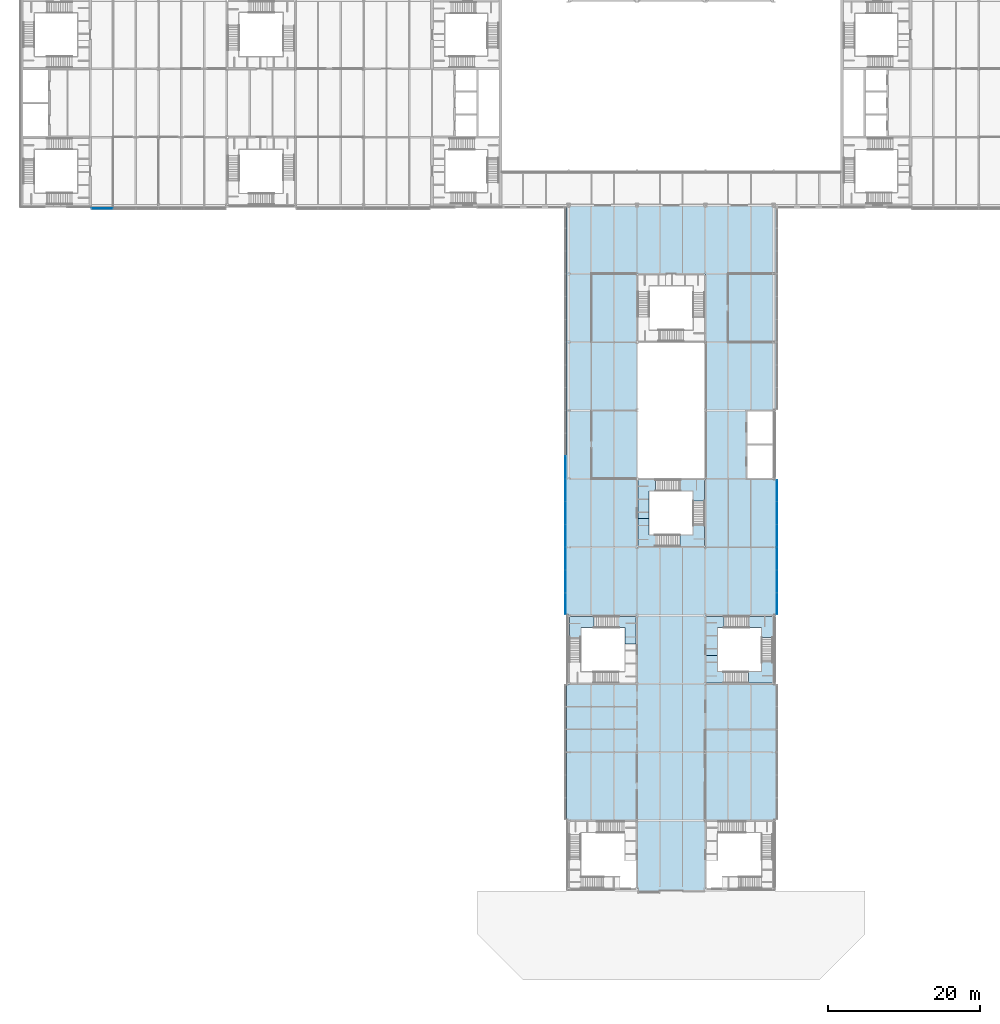
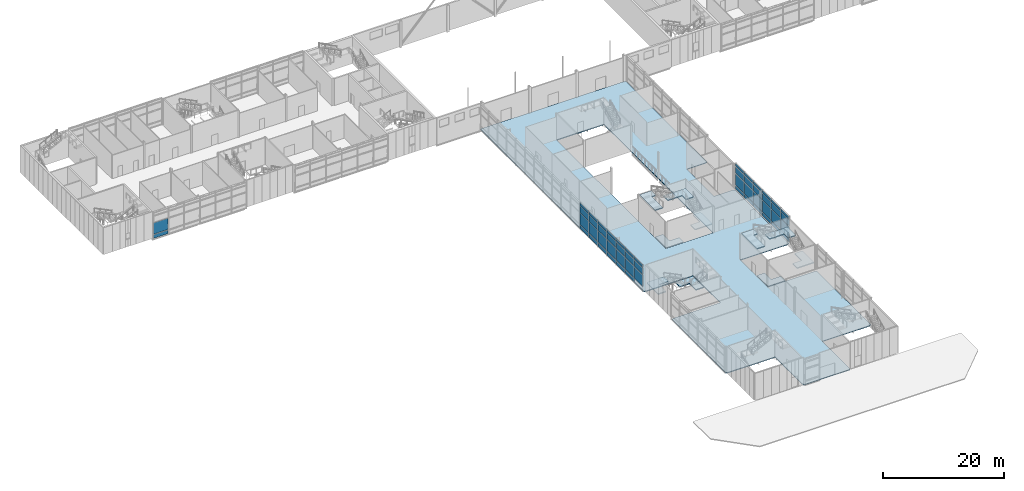
# One storey, part 30 of 56: 53 plates, 11 slabs, 6 elements without a shape of their own.
"""IFC4 building model written with IfcOpenShell, lengths in metres."""

from ifc_helpers import new_model, si_unit, direction, frame, origin, origin_2d, place, context, subcontext, project, spatial, polyline, rectangle, outline, extrude, material, layer, layer_set, type_object, element, aggregate, save


model = new_model("IFC4")

# Units and contexts
model_context = context("Model", 3, precision=1e-05, world=origin(), true_north=direction((0.0, 1.0)))
body_context = subcontext(model_context, "Body", "Model", "MODEL_VIEW")
ifc_project = project(units=[si_unit("LENGTHUNIT", "METRE"), si_unit("AREAUNIT", "SQUARE_METRE"), si_unit("VOLUMEUNIT", "CUBIC_METRE"), si_unit("PLANEANGLEUNIT", "RADIAN"), si_unit("MASSUNIT", "GRAM", prefix="KILO")], contexts=[model_context])

# Site, building, storey
site_placement = place(None, origin())
site = spatial("IfcSite", under=ifc_project, at=site_placement, CompositionType="ELEMENT")
building_placement = place(site_placement, origin())
building = spatial("IfcBuilding", under=site, at=building_placement, Name="Azimuth Sports and Learning Centre", CompositionType="ELEMENT")
storey_placement = place(building_placement, frame((0.0, 0.0, 5.39990234375)))
storey = spatial("IfcBuildingStorey", under=building, at=storey_placement, Name="L01", CompositionType="ELEMENT", Elevation=5.39990234375)

# Slab
ifc_material_1 = material(Name="Concrete C30/37", Category="concrete")
ifc_layer_1 = layer(ifc_material_1, 0.14990234375)
ifc_layer_set_1 = layer_set([ifc_layer_1], Name="Concrete C30/37")
slab_type_1 = type_object("IfcSlabType", Name="Composite floor slab 150", PredefinedType="FLOOR", material=ifc_layer_set_1)
slab_1_placement = place(storey_placement, frame((0.0, 0.0, -0.14990234375)))
element("IfcSlab", 1, at=slab_1_placement, inside=storey, type_object=slab_type_1, Name="Slab STEM L01", PredefinedType="FLOOR", context=body_context, shape_type="SweptSolid", body=[
    extrude(outline(polyline([(81.10009765625, -0.300048828125), (89.89990234375, -0.300048828125), (89.89990234375, 0.0), (90.0, 0.0), (90.0, 9.0), (99.0, 9.0), (99.0, 9.10009765625), (99.300048828125, 9.10009765625), (99.300048828125, 26.89990234375), (99.0, 26.89990234375), (99.0, 27.0), (90.0, 27.0), (90.0, 36.0), (99.0, 36.0), (99.0, 36.10009765625), (99.300048828125, 36.10009765625), (99.300048828125, 53.89990234375), (99.0, 53.89990234375), (99.0, 54.0), (95.39990234375, 54.0), (95.39990234375, 63.0), (99.0, 63.0), (99.0, 63.10009765625), (99.300048828125, 63.10009765625), (99.300048828125, 90.0), (71.699951171875, 90.0), (71.699951171875, 36.10009765625), (72.0, 36.10009765625), (72.0, 36.0), (81.0, 36.0), (81.0, 27.0), (72.0, 27.0), (72.0, 26.89990234375), (71.699951171875, 26.89990234375), (71.699951171875, 9.10009765625), (72.0, 9.10009765625), (72.0, 9.0), (81.0, 9.0), (81.0, 0.0), (81.10009765625, 0.0), (81.10009765625, -0.300048828125)]), holes=[polyline([(81.0, 45.0), (81.0, 81.0), (90.0, 81.0), (90.0, 45.0), (81.0, 45.0)])]), origin(), (0.0, 0.0, 1.0), 0.14990234375),
])

# Stair, slabs
ifc_material_2 = material(Name="Concrete C32/40", Category="concrete")
stair_type = type_object("IfcStairType", Name="Square-well stair stem cell 5400 storey", PredefinedType="THREE_QUARTER_TURN_STAIR", material=ifc_material_2)
stair_1_placement = place(storey_placement, origin())
stair_1 = element("IfcStair", 2, at=stair_1_placement, inside=storey, type_object=stair_type, Name="Stair ST3 L01-L02", PredefinedType="THREE_QUARTER_TURN_STAIR")
ifc_material_3 = material(Name="Concrete C32/40", Category="concrete")
ifc_layer_2 = layer(ifc_material_3, 0.199951171875)
ifc_layer_set_2 = layer_set([ifc_layer_2], Name="Concrete C32/40")
slab_type_2 = type_object("IfcSlabType", Name="Concrete stair landing", PredefinedType="LANDING", material=ifc_layer_set_2)
slab_2_placement = place(storey_placement, frame((0.0, 0.0, -0.199951171875)))
slab_2 = element("IfcSlab", 3, at=slab_2_placement, type_object=slab_type_2, Name="Stair ST3 L01 landing 1", PredefinedType="LANDING", context=body_context, shape_type="SweptSolid", body=[
    extrude(outline(polyline([(77.5400390625, 34.389892578125), (79.389892578125, 34.389892578125), (79.389892578125, 32.25), (80.889892578125, 32.25), (80.889892578125, 35.889892578125), (77.5400390625, 35.889892578125), (77.5400390625, 34.389892578125)])), origin(), (0.0, 0.0, 1.0), 0.199951171875),
])
slab_3_placement = place(storey_placement, frame((0.0, 0.0, 1.60009765625)))
slab_3 = element("IfcSlab", 4, at=slab_3_placement, type_object=slab_type_2, Name="Stair ST3 L01 landing 2", PredefinedType="LANDING", context=body_context, shape_type="SweptSolid", body=[
    extrude(outline(polyline([(73.610107421875, 34.389892578125), (75.3408203125, 34.389892578125), (75.3408203125, 35.889892578125), (72.110107421875, 35.889892578125), (72.110107421875, 32.090087890625), (73.610107421875, 32.090087890625), (73.610107421875, 34.389892578125)])), origin(), (0.0, 0.0, 1.0), 0.199951171875),
])
aggregate(stair_1, [slab_2, slab_3])

stair_2_placement = place(storey_placement, origin())
stair_2 = element("IfcStair", 5, at=stair_2_placement, inside=storey, type_object=stair_type, Name="Stair ST4 L01-L02", PredefinedType="THREE_QUARTER_TURN_STAIR")
slab_4_placement = place(storey_placement, frame((0.0, 0.0, -0.199951171875)))
slab_4 = element("IfcSlab", 6, at=slab_4_placement, type_object=slab_type_2, Name="Stair ST4 L01 landing 1", PredefinedType="LANDING", context=body_context, shape_type="SweptSolid", body=[
    extrude(outline(polyline([(93.4599609375, 28.610107421875), (91.610107421875, 28.610107421875), (91.610107421875, 30.75), (90.110107421875, 30.75), (90.110107421875, 27.110107421875), (93.4599609375, 27.110107421875), (93.4599609375, 28.610107421875)])), origin(), (0.0, 0.0, 1.0), 0.199951171875),
])
slab_5_placement = place(storey_placement, frame((0.0, 0.0, 1.60009765625)))
slab_5 = element("IfcSlab", 7, at=slab_5_placement, type_object=slab_type_2, Name="Stair ST4 L01 landing 2", PredefinedType="LANDING", context=body_context, shape_type="SweptSolid", body=[
    extrude(outline(polyline([(97.389892578125, 28.610107421875), (95.6591796875, 28.610107421875), (95.6591796875, 27.110107421875), (98.889892578125, 27.110107421875), (98.889892578125, 30.909912109375), (97.389892578125, 30.909912109375), (97.389892578125, 28.610107421875)])), origin(), (0.0, 0.0, 1.0), 0.199951171875),
])
slab_6_placement = place(storey_placement, frame((0.0, 0.0, 3.400146484375)))
slab_6 = element("IfcSlab", 8, at=slab_6_placement, type_object=slab_type_2, Name="Stair ST4 L01 landing 3", PredefinedType="LANDING", context=body_context, shape_type="SweptSolid", body=[
    extrude(outline(polyline([(97.389892578125, 34.389892578125), (97.389892578125, 33.109375), (98.889892578125, 33.109375), (98.889892578125, 35.889892578125), (94.639892578125, 35.889892578125), (94.639892578125, 34.389892578125), (97.389892578125, 34.389892578125)])), origin(), (0.0, 0.0, 1.0), 0.199951171875),
])
slab_7_placement = place(storey_placement, frame((0.0, 0.0, 5.2001953125)))
slab_7 = element("IfcSlab", 9, at=slab_7_placement, type_object=slab_type_2, Name="Stair ST4 L01 landing 4", PredefinedType="LANDING", context=body_context, shape_type="SweptSolid", body=[
    extrude(outline(polyline([(91.610107421875, 34.389892578125), (92.440673828125, 34.389892578125), (92.440673828125, 35.889892578125), (90.110107421875, 35.889892578125), (90.110107421875, 30.75), (91.610107421875, 30.75), (91.610107421875, 34.389892578125)])), origin(), (0.0, 0.0, 1.0), 0.199951171875),
])
aggregate(stair_2, [slab_4, slab_5, slab_6, slab_7])

stair_3_placement = place(storey_placement, origin())
stair_3 = element("IfcStair", 10, at=stair_3_placement, inside=storey, type_object=stair_type, Name="Stair STC L01-L02", PredefinedType="THREE_QUARTER_TURN_STAIR")
slab_8_placement = place(storey_placement, frame((0.0, 0.0, -0.199951171875)))
slab_8 = element("IfcSlab", 11, at=slab_8_placement, type_object=slab_type_2, Name="Stair STC L01 landing 1", PredefinedType="LANDING", context=body_context, shape_type="SweptSolid", body=[
    extrude(outline(polyline([(84.4599609375, 46.610107421875), (82.610107421875, 46.610107421875), (82.610107421875, 48.75), (81.110107421875, 48.75), (81.110107421875, 45.110107421875), (84.4599609375, 45.110107421875), (84.4599609375, 46.610107421875)])), origin(), (0.0, 0.0, 1.0), 0.199951171875),
])
slab_9_placement = place(storey_placement, frame((0.0, 0.0, 1.60009765625)))
slab_9 = element("IfcSlab", 12, at=slab_9_placement, type_object=slab_type_2, Name="Stair STC L01 landing 2", PredefinedType="LANDING", context=body_context, shape_type="SweptSolid", body=[
    extrude(outline(polyline([(88.389892578125, 46.610107421875), (86.6591796875, 46.610107421875), (86.6591796875, 45.110107421875), (89.889892578125, 45.110107421875), (89.889892578125, 48.909912109375), (88.389892578125, 48.909912109375), (88.389892578125, 46.610107421875)])), origin(), (0.0, 0.0, 1.0), 0.199951171875),
])
slab_10_placement = place(storey_placement, frame((0.0, 0.0, 3.400146484375)))
slab_10 = element("IfcSlab", 13, at=slab_10_placement, type_object=slab_type_2, Name="Stair STC L01 landing 3", PredefinedType="LANDING", context=body_context, shape_type="SweptSolid", body=[
    extrude(outline(polyline([(88.389892578125, 52.389892578125), (88.389892578125, 51.109375), (89.889892578125, 51.109375), (89.889892578125, 53.889892578125), (85.639892578125, 53.889892578125), (85.639892578125, 52.389892578125), (88.389892578125, 52.389892578125)])), origin(), (0.0, 0.0, 1.0), 0.199951171875),
])
slab_11_placement = place(storey_placement, frame((0.0, 0.0, 5.2001953125)))
slab_11 = element("IfcSlab", 14, at=slab_11_placement, type_object=slab_type_2, Name="Stair STC L01 landing 4", PredefinedType="LANDING", context=body_context, shape_type="SweptSolid", body=[
    extrude(outline(polyline([(82.610107421875, 52.389892578125), (83.440673828125, 52.389892578125), (83.440673828125, 53.889892578125), (81.110107421875, 53.889892578125), (81.110107421875, 48.75), (82.610107421875, 48.75), (82.610107421875, 52.389892578125)])), origin(), (0.0, 0.0, 1.0), 0.199951171875),
])
aggregate(stair_3, [slab_8, slab_9, slab_10, slab_11])

# Curtain wall, plate
ifc_material_4 = material(Name="Aluminium and glass", Category="aluminium")
curtain_wall_type_1 = type_object("IfcCurtainWallType", Name="Curtain wall podium wing 240", PredefinedType="NOTDEFINED", material=ifc_material_4)
curtain_wall_1_placement = place(storey_placement, origin())
curtain_wall_1 = element("IfcCurtainWall", 15, at=curtain_wall_1_placement, inside=storey, type_object=curtain_wall_type_1, Name="Curtain wall CW01-001", PredefinedType="NOTDEFINED")
ifc_material_5 = material(Name="Insulated aluminium panel", Category="aluminium")
ifc_layer_3 = layer(ifc_material_5, 0.06005859375)
ifc_layer_set_3 = layer_set([ifc_layer_3], Name="Insulated aluminium panel")
plate_type_1 = type_object("IfcPlateType", Name="Spandrel panel 60 mm", PredefinedType="CURTAIN_PANEL", material=ifc_layer_set_3)
plate_1_placement = place(storey_placement, frame((10.594970703125, 89.580078125, 0.1201171875), z_axis=(0.0, 0.0, 1.0), x_axis=(1.0, 0.0, 0.0)))
plate_1 = element("IfcPlate", 16, at=plate_1_placement, type_object=plate_type_1, Name="CW01-001 panel 1.1", PredefinedType="CURTAIN_PANEL", context=body_context, shape_type="SweptSolid", body=[
    extrude(rectangle(XDim=2.72998046875, YDim=0.06005859375, at=origin_2d()), origin(), (0.0, 0.0, 1.0), 0.719970703125),
])

# Curtain wall, plates
ifc_material_6 = material(Name="Aluminium and glass", Category="aluminium")
curtain_wall_type_2 = type_object("IfcCurtainWallType", Name="Curtain wall podium stem 240", PredefinedType="NOTDEFINED", material=ifc_material_6)
curtain_wall_2_placement = place(storey_placement, origin())
curtain_wall_2 = element("IfcCurtainWall", 17, at=curtain_wall_2_placement, inside=storey, type_object=curtain_wall_type_2, Name="Curtain wall CW01-003", PredefinedType="NOTDEFINED")
plate_2_placement = place(storey_placement, frame((71.580078125, 55.5, 0.1201171875), z_axis=(0.0, 0.0, 1.0), x_axis=(0.0, -1.0, 0.0)))
plate_2 = element("IfcPlate", 18, at=plate_2_placement, type_object=plate_type_1, Name="CW01-003 panel 12.1", PredefinedType="CURTAIN_PANEL", context=body_context, shape_type="SweptSolid", body=[
    extrude(rectangle(XDim=2.919921875, YDim=0.06005859375, at=origin_2d()), origin(), (0.0, 0.0, 1.0), 0.719970703125),
])
plate_3_placement = place(storey_placement, frame((71.580078125, 55.5, 4.760009765625), z_axis=(0.0, 0.0, 1.0), x_axis=(0.0, -1.0, 0.0)))
plate_3 = element("IfcPlate", 19, at=plate_3_placement, type_object=plate_type_1, Name="CW01-003 panel 12.4", PredefinedType="CURTAIN_PANEL", context=body_context, shape_type="SweptSolid", body=[
    extrude(rectangle(XDim=2.919921875, YDim=0.06005859375, at=origin_2d()), origin(), (0.0, 0.0, 1.0), 0.52001953125),
])
plate_4_placement = place(storey_placement, frame((71.580078125, 52.5, 0.1201171875), z_axis=(0.0, 0.0, 1.0), x_axis=(0.0, -1.0, 0.0)))
plate_4 = element("IfcPlate", 20, at=plate_4_placement, type_object=plate_type_1, Name="CW01-003 panel 13.1", PredefinedType="CURTAIN_PANEL", context=body_context, shape_type="SweptSolid", body=[
    extrude(rectangle(XDim=2.919921875, YDim=0.06005859375, at=origin_2d()), origin(), (0.0, 0.0, 1.0), 0.719970703125),
])
plate_5_placement = place(storey_placement, frame((71.580078125, 52.5, 4.760009765625), z_axis=(0.0, 0.0, 1.0), x_axis=(0.0, -1.0, 0.0)))
plate_5 = element("IfcPlate", 21, at=plate_5_placement, type_object=plate_type_1, Name="CW01-003 panel 13.4", PredefinedType="CURTAIN_PANEL", context=body_context, shape_type="SweptSolid", body=[
    extrude(rectangle(XDim=2.919921875, YDim=0.06005859375, at=origin_2d()), origin(), (0.0, 0.0, 1.0), 0.52001953125),
])
plate_6_placement = place(storey_placement, frame((71.580078125, 49.5, 0.1201171875), z_axis=(0.0, 0.0, 1.0), x_axis=(0.0, -1.0, 0.0)))
plate_6 = element("IfcPlate", 22, at=plate_6_placement, type_object=plate_type_1, Name="CW01-003 panel 14.1", PredefinedType="CURTAIN_PANEL", context=body_context, shape_type="SweptSolid", body=[
    extrude(rectangle(XDim=2.919921875, YDim=0.06005859375, at=origin_2d()), origin(), (0.0, 0.0, 1.0), 0.719970703125),
])
plate_7_placement = place(storey_placement, frame((71.580078125, 49.5, 4.760009765625), z_axis=(0.0, 0.0, 1.0), x_axis=(0.0, -1.0, 0.0)))
plate_7 = element("IfcPlate", 23, at=plate_7_placement, type_object=plate_type_1, Name="CW01-003 panel 14.4", PredefinedType="CURTAIN_PANEL", context=body_context, shape_type="SweptSolid", body=[
    extrude(rectangle(XDim=2.919921875, YDim=0.06005859375, at=origin_2d()), origin(), (0.0, 0.0, 1.0), 0.52001953125),
])
plate_8_placement = place(storey_placement, frame((71.580078125, 46.5, 0.1201171875), z_axis=(0.0, 0.0, 1.0), x_axis=(0.0, -1.0, 0.0)))
plate_8 = element("IfcPlate", 24, at=plate_8_placement, type_object=plate_type_1, Name="CW01-003 panel 15.1", PredefinedType="CURTAIN_PANEL", context=body_context, shape_type="SweptSolid", body=[
    extrude(rectangle(XDim=2.919921875, YDim=0.06005859375, at=origin_2d()), origin(), (0.0, 0.0, 1.0), 0.719970703125),
])
plate_9_placement = place(storey_placement, frame((71.580078125, 46.5, 4.760009765625), z_axis=(0.0, 0.0, 1.0), x_axis=(0.0, -1.0, 0.0)))
plate_9 = element("IfcPlate", 25, at=plate_9_placement, type_object=plate_type_1, Name="CW01-003 panel 15.4", PredefinedType="CURTAIN_PANEL", context=body_context, shape_type="SweptSolid", body=[
    extrude(rectangle(XDim=2.919921875, YDim=0.06005859375, at=origin_2d()), origin(), (0.0, 0.0, 1.0), 0.52001953125),
])
plate_10_placement = place(storey_placement, frame((71.580078125, 43.5, 0.1201171875), z_axis=(0.0, 0.0, 1.0), x_axis=(0.0, -1.0, 0.0)))
plate_10 = element("IfcPlate", 26, at=plate_10_placement, type_object=plate_type_1, Name="CW01-003 panel 16.1", PredefinedType="CURTAIN_PANEL", context=body_context, shape_type="SweptSolid", body=[
    extrude(rectangle(XDim=2.919921875, YDim=0.06005859375, at=origin_2d()), origin(), (0.0, 0.0, 1.0), 0.719970703125),
])
plate_11_placement = place(storey_placement, frame((71.580078125, 43.5, 4.760009765625), z_axis=(0.0, 0.0, 1.0), x_axis=(0.0, -1.0, 0.0)))
plate_11 = element("IfcPlate", 27, at=plate_11_placement, type_object=plate_type_1, Name="CW01-003 panel 16.4", PredefinedType="CURTAIN_PANEL", context=body_context, shape_type="SweptSolid", body=[
    extrude(rectangle(XDim=2.919921875, YDim=0.06005859375, at=origin_2d()), origin(), (0.0, 0.0, 1.0), 0.52001953125),
])
plate_12_placement = place(storey_placement, frame((71.580078125, 40.5, 0.1201171875), z_axis=(0.0, 0.0, 1.0), x_axis=(0.0, -1.0, 0.0)))
plate_12 = element("IfcPlate", 28, at=plate_12_placement, type_object=plate_type_1, Name="CW01-003 panel 17.1", PredefinedType="CURTAIN_PANEL", context=body_context, shape_type="SweptSolid", body=[
    extrude(rectangle(XDim=2.919921875, YDim=0.06005859375, at=origin_2d()), origin(), (0.0, 0.0, 1.0), 0.719970703125),
])
plate_13_placement = place(storey_placement, frame((71.580078125, 40.5, 4.760009765625), z_axis=(0.0, 0.0, 1.0), x_axis=(0.0, -1.0, 0.0)))
plate_13 = element("IfcPlate", 29, at=plate_13_placement, type_object=plate_type_1, Name="CW01-003 panel 17.4", PredefinedType="CURTAIN_PANEL", context=body_context, shape_type="SweptSolid", body=[
    extrude(rectangle(XDim=2.919921875, YDim=0.06005859375, at=origin_2d()), origin(), (0.0, 0.0, 1.0), 0.52001953125),
])
plate_14_placement = place(storey_placement, frame((71.580078125, 37.570068359375, 4.760009765625), z_axis=(0.0, 0.0, 1.0), x_axis=(0.0, -1.0, 0.0)))
plate_14 = element("IfcPlate", 30, at=plate_14_placement, type_object=plate_type_1, Name="CW01-003 panel 18.4", PredefinedType="CURTAIN_PANEL", context=body_context, shape_type="SweptSolid", body=[
    extrude(rectangle(XDim=2.780029296875, YDim=0.06005859375, at=origin_2d()), origin(), (0.0, 0.0, 1.0), 0.52001953125),
])

curtain_wall_3_placement = place(storey_placement, origin())
curtain_wall_3 = element("IfcCurtainWall", 31, at=curtain_wall_3_placement, inside=storey, type_object=curtain_wall_type_2, Name="Curtain wall CW01-007", PredefinedType="NOTDEFINED")
plate_15_placement = place(storey_placement, frame((99.419921875, 37.570068359375, 0.1201171875), z_axis=(0.0, 0.0, 1.0), x_axis=(0.0, 1.0, 0.0)))
plate_15 = element("IfcPlate", 32, at=plate_15_placement, type_object=plate_type_1, Name="CW01-007 panel 1.1", PredefinedType="CURTAIN_PANEL", context=body_context, shape_type="SweptSolid", body=[
    extrude(rectangle(XDim=2.780029296875, YDim=0.06005859375, at=origin_2d()), origin(), (0.0, 0.0, 1.0), 0.719970703125),
])
plate_16_placement = place(storey_placement, frame((99.419921875, 37.570068359375, 4.760009765625), z_axis=(0.0, 0.0, 1.0), x_axis=(0.0, 1.0, 0.0)))
plate_16 = element("IfcPlate", 33, at=plate_16_placement, type_object=plate_type_1, Name="CW01-007 panel 1.4", PredefinedType="CURTAIN_PANEL", context=body_context, shape_type="SweptSolid", body=[
    extrude(rectangle(XDim=2.780029296875, YDim=0.06005859375, at=origin_2d()), origin(), (0.0, 0.0, 1.0), 0.52001953125),
])
plate_17_placement = place(storey_placement, frame((99.419921875, 40.5, 0.1201171875), z_axis=(0.0, 0.0, 1.0), x_axis=(0.0, 1.0, 0.0)))
plate_17 = element("IfcPlate", 34, at=plate_17_placement, type_object=plate_type_1, Name="CW01-007 panel 2.1", PredefinedType="CURTAIN_PANEL", context=body_context, shape_type="SweptSolid", body=[
    extrude(rectangle(XDim=2.919921875, YDim=0.06005859375, at=origin_2d()), origin(), (0.0, 0.0, 1.0), 0.719970703125),
])
plate_18_placement = place(storey_placement, frame((99.419921875, 40.5, 4.760009765625), z_axis=(0.0, 0.0, 1.0), x_axis=(0.0, 1.0, 0.0)))
plate_18 = element("IfcPlate", 35, at=plate_18_placement, type_object=plate_type_1, Name="CW01-007 panel 2.4", PredefinedType="CURTAIN_PANEL", context=body_context, shape_type="SweptSolid", body=[
    extrude(rectangle(XDim=2.919921875, YDim=0.06005859375, at=origin_2d()), origin(), (0.0, 0.0, 1.0), 0.52001953125),
])
plate_19_placement = place(storey_placement, frame((99.419921875, 43.5, 0.1201171875), z_axis=(0.0, 0.0, 1.0), x_axis=(0.0, 1.0, 0.0)))
plate_19 = element("IfcPlate", 36, at=plate_19_placement, type_object=plate_type_1, Name="CW01-007 panel 3.1", PredefinedType="CURTAIN_PANEL", context=body_context, shape_type="SweptSolid", body=[
    extrude(rectangle(XDim=2.919921875, YDim=0.06005859375, at=origin_2d()), origin(), (0.0, 0.0, 1.0), 0.719970703125),
])
plate_20_placement = place(storey_placement, frame((99.419921875, 43.5, 4.760009765625), z_axis=(0.0, 0.0, 1.0), x_axis=(0.0, 1.0, 0.0)))
plate_20 = element("IfcPlate", 37, at=plate_20_placement, type_object=plate_type_1, Name="CW01-007 panel 3.4", PredefinedType="CURTAIN_PANEL", context=body_context, shape_type="SweptSolid", body=[
    extrude(rectangle(XDim=2.919921875, YDim=0.06005859375, at=origin_2d()), origin(), (0.0, 0.0, 1.0), 0.52001953125),
])
plate_21_placement = place(storey_placement, frame((99.419921875, 46.5, 0.1201171875), z_axis=(0.0, 0.0, 1.0), x_axis=(0.0, 1.0, 0.0)))
plate_21 = element("IfcPlate", 38, at=plate_21_placement, type_object=plate_type_1, Name="CW01-007 panel 4.1", PredefinedType="CURTAIN_PANEL", context=body_context, shape_type="SweptSolid", body=[
    extrude(rectangle(XDim=2.919921875, YDim=0.06005859375, at=origin_2d()), origin(), (0.0, 0.0, 1.0), 0.719970703125),
])
plate_22_placement = place(storey_placement, frame((99.419921875, 46.5, 4.760009765625), z_axis=(0.0, 0.0, 1.0), x_axis=(0.0, 1.0, 0.0)))
plate_22 = element("IfcPlate", 39, at=plate_22_placement, type_object=plate_type_1, Name="CW01-007 panel 4.4", PredefinedType="CURTAIN_PANEL", context=body_context, shape_type="SweptSolid", body=[
    extrude(rectangle(XDim=2.919921875, YDim=0.06005859375, at=origin_2d()), origin(), (0.0, 0.0, 1.0), 0.52001953125),
])
plate_23_placement = place(storey_placement, frame((99.419921875, 49.5, 0.1201171875), z_axis=(0.0, 0.0, 1.0), x_axis=(0.0, 1.0, 0.0)))
plate_23 = element("IfcPlate", 40, at=plate_23_placement, type_object=plate_type_1, Name="CW01-007 panel 5.1", PredefinedType="CURTAIN_PANEL", context=body_context, shape_type="SweptSolid", body=[
    extrude(rectangle(XDim=2.919921875, YDim=0.06005859375, at=origin_2d()), origin(), (0.0, 0.0, 1.0), 0.719970703125),
])
plate_24_placement = place(storey_placement, frame((99.419921875, 49.5, 4.760009765625), z_axis=(0.0, 0.0, 1.0), x_axis=(0.0, 1.0, 0.0)))
plate_24 = element("IfcPlate", 41, at=plate_24_placement, type_object=plate_type_1, Name="CW01-007 panel 5.4", PredefinedType="CURTAIN_PANEL", context=body_context, shape_type="SweptSolid", body=[
    extrude(rectangle(XDim=2.919921875, YDim=0.06005859375, at=origin_2d()), origin(), (0.0, 0.0, 1.0), 0.52001953125),
])
plate_25_placement = place(storey_placement, frame((99.419921875, 52.429931640625, 0.1201171875), z_axis=(0.0, 0.0, 1.0), x_axis=(0.0, 1.0, 0.0)))
plate_25 = element("IfcPlate", 42, at=plate_25_placement, type_object=plate_type_1, Name="CW01-007 panel 6.1", PredefinedType="CURTAIN_PANEL", context=body_context, shape_type="SweptSolid", body=[
    extrude(rectangle(XDim=2.780029296875, YDim=0.06005859375, at=origin_2d()), origin(), (0.0, 0.0, 1.0), 0.719970703125),
])
plate_26_placement = place(storey_placement, frame((99.419921875, 52.429931640625, 4.760009765625), z_axis=(0.0, 0.0, 1.0), x_axis=(0.0, 1.0, 0.0)))
plate_26 = element("IfcPlate", 43, at=plate_26_placement, type_object=plate_type_1, Name="CW01-007 panel 6.4", PredefinedType="CURTAIN_PANEL", context=body_context, shape_type="SweptSolid", body=[
    extrude(rectangle(XDim=2.780029296875, YDim=0.06005859375, at=origin_2d()), origin(), (0.0, 0.0, 1.0), 0.52001953125),
])

# Plate
ifc_material_7 = material(Name="Glass", Category="glass")
ifc_layer_4 = layer(ifc_material_7, 0.0439453125)
ifc_layer_set_4 = layer_set([ifc_layer_4], Name="Glass")
plate_type_2 = type_object("IfcPlateType", Name="Vision glass 44 mm", PredefinedType="CURTAIN_PANEL", material=ifc_layer_set_4)
plate_27_placement = place(storey_placement, frame((10.594970703125, 89.580078125, 0.9599609375), z_axis=(0.0, 0.0, 1.0), x_axis=(1.0, 0.0, 0.0)))
plate_27 = element("IfcPlate", 44, at=plate_27_placement, type_object=plate_type_2, Name="CW01-001 panel 1.2", PredefinedType="CURTAIN_PANEL", context=body_context, shape_type="SweptSolid", body=[
    extrude(rectangle(XDim=2.72998046875, YDim=0.0439453125, at=origin_2d()), origin(), (0.0, 0.0, 1.0), 2.280029296875),
])

aggregate(curtain_wall_1, [plate_1, plate_27])

plate_28_placement = place(storey_placement, frame((71.580078125, 55.5, 0.9599609375), z_axis=(0.0, 0.0, 1.0), x_axis=(0.0, -1.0, 0.0)))
plate_28 = element("IfcPlate", 45, at=plate_28_placement, type_object=plate_type_2, Name="CW01-003 panel 12.2", PredefinedType="CURTAIN_PANEL", context=body_context, shape_type="SweptSolid", body=[
    extrude(rectangle(XDim=2.919921875, YDim=0.0439453125, at=origin_2d()), origin(), (0.0, 0.0, 1.0), 2.280029296875),
])

plate_29_placement = place(storey_placement, frame((71.580078125, 55.5, 3.35986328125), z_axis=(0.0, 0.0, 1.0), x_axis=(0.0, -1.0, 0.0)))
plate_29 = element("IfcPlate", 46, at=plate_29_placement, type_object=plate_type_2, Name="CW01-003 panel 12.3", PredefinedType="CURTAIN_PANEL", context=body_context, shape_type="SweptSolid", body=[
    extrude(rectangle(XDim=2.919921875, YDim=0.0439453125, at=origin_2d()), origin(), (0.0, 0.0, 1.0), 1.280029296875),
])

plate_30_placement = place(storey_placement, frame((71.580078125, 52.5, 0.9599609375), z_axis=(0.0, 0.0, 1.0), x_axis=(0.0, -1.0, 0.0)))
plate_30 = element("IfcPlate", 47, at=plate_30_placement, type_object=plate_type_2, Name="CW01-003 panel 13.2", PredefinedType="CURTAIN_PANEL", context=body_context, shape_type="SweptSolid", body=[
    extrude(rectangle(XDim=2.919921875, YDim=0.0439453125, at=origin_2d()), origin(), (0.0, 0.0, 1.0), 2.280029296875),
])

plate_31_placement = place(storey_placement, frame((71.580078125, 52.5, 3.35986328125), z_axis=(0.0, 0.0, 1.0), x_axis=(0.0, -1.0, 0.0)))
plate_31 = element("IfcPlate", 48, at=plate_31_placement, type_object=plate_type_2, Name="CW01-003 panel 13.3", PredefinedType="CURTAIN_PANEL", context=body_context, shape_type="SweptSolid", body=[
    extrude(rectangle(XDim=2.919921875, YDim=0.0439453125, at=origin_2d()), origin(), (0.0, 0.0, 1.0), 1.280029296875),
])

plate_32_placement = place(storey_placement, frame((71.580078125, 49.5, 0.9599609375), z_axis=(0.0, 0.0, 1.0), x_axis=(0.0, -1.0, 0.0)))
plate_32 = element("IfcPlate", 49, at=plate_32_placement, type_object=plate_type_2, Name="CW01-003 panel 14.2", PredefinedType="CURTAIN_PANEL", context=body_context, shape_type="SweptSolid", body=[
    extrude(rectangle(XDim=2.919921875, YDim=0.0439453125, at=origin_2d()), origin(), (0.0, 0.0, 1.0), 2.280029296875),
])

plate_33_placement = place(storey_placement, frame((71.580078125, 49.5, 3.35986328125), z_axis=(0.0, 0.0, 1.0), x_axis=(0.0, -1.0, 0.0)))
plate_33 = element("IfcPlate", 50, at=plate_33_placement, type_object=plate_type_2, Name="CW01-003 panel 14.3", PredefinedType="CURTAIN_PANEL", context=body_context, shape_type="SweptSolid", body=[
    extrude(rectangle(XDim=2.919921875, YDim=0.0439453125, at=origin_2d()), origin(), (0.0, 0.0, 1.0), 1.280029296875),
])

plate_34_placement = place(storey_placement, frame((71.580078125, 46.5, 0.9599609375), z_axis=(0.0, 0.0, 1.0), x_axis=(0.0, -1.0, 0.0)))
plate_34 = element("IfcPlate", 51, at=plate_34_placement, type_object=plate_type_2, Name="CW01-003 panel 15.2", PredefinedType="CURTAIN_PANEL", context=body_context, shape_type="SweptSolid", body=[
    extrude(rectangle(XDim=2.919921875, YDim=0.0439453125, at=origin_2d()), origin(), (0.0, 0.0, 1.0), 2.280029296875),
])

plate_35_placement = place(storey_placement, frame((71.580078125, 46.5, 3.35986328125), z_axis=(0.0, 0.0, 1.0), x_axis=(0.0, -1.0, 0.0)))
plate_35 = element("IfcPlate", 52, at=plate_35_placement, type_object=plate_type_2, Name="CW01-003 panel 15.3", PredefinedType="CURTAIN_PANEL", context=body_context, shape_type="SweptSolid", body=[
    extrude(rectangle(XDim=2.919921875, YDim=0.0439453125, at=origin_2d()), origin(), (0.0, 0.0, 1.0), 1.280029296875),
])

plate_36_placement = place(storey_placement, frame((71.580078125, 43.5, 0.9599609375), z_axis=(0.0, 0.0, 1.0), x_axis=(0.0, -1.0, 0.0)))
plate_36 = element("IfcPlate", 53, at=plate_36_placement, type_object=plate_type_2, Name="CW01-003 panel 16.2", PredefinedType="CURTAIN_PANEL", context=body_context, shape_type="SweptSolid", body=[
    extrude(rectangle(XDim=2.919921875, YDim=0.0439453125, at=origin_2d()), origin(), (0.0, 0.0, 1.0), 2.280029296875),
])

plate_37_placement = place(storey_placement, frame((71.580078125, 43.5, 3.35986328125), z_axis=(0.0, 0.0, 1.0), x_axis=(0.0, -1.0, 0.0)))
plate_37 = element("IfcPlate", 54, at=plate_37_placement, type_object=plate_type_2, Name="CW01-003 panel 16.3", PredefinedType="CURTAIN_PANEL", context=body_context, shape_type="SweptSolid", body=[
    extrude(rectangle(XDim=2.919921875, YDim=0.0439453125, at=origin_2d()), origin(), (0.0, 0.0, 1.0), 1.280029296875),
])

plate_38_placement = place(storey_placement, frame((71.580078125, 40.5, 0.9599609375), z_axis=(0.0, 0.0, 1.0), x_axis=(0.0, -1.0, 0.0)))
plate_38 = element("IfcPlate", 55, at=plate_38_placement, type_object=plate_type_2, Name="CW01-003 panel 17.2", PredefinedType="CURTAIN_PANEL", context=body_context, shape_type="SweptSolid", body=[
    extrude(rectangle(XDim=2.919921875, YDim=0.0439453125, at=origin_2d()), origin(), (0.0, 0.0, 1.0), 2.280029296875),
])

plate_39_placement = place(storey_placement, frame((71.580078125, 40.5, 3.35986328125), z_axis=(0.0, 0.0, 1.0), x_axis=(0.0, -1.0, 0.0)))
plate_39 = element("IfcPlate", 56, at=plate_39_placement, type_object=plate_type_2, Name="CW01-003 panel 17.3", PredefinedType="CURTAIN_PANEL", context=body_context, shape_type="SweptSolid", body=[
    extrude(rectangle(XDim=2.919921875, YDim=0.0439453125, at=origin_2d()), origin(), (0.0, 0.0, 1.0), 1.280029296875),
])

plate_40_placement = place(storey_placement, frame((71.580078125, 37.570068359375, 0.9599609375), z_axis=(0.0, 0.0, 1.0), x_axis=(0.0, -1.0, 0.0)))
plate_40 = element("IfcPlate", 57, at=plate_40_placement, type_object=plate_type_2, Name="CW01-003 panel 18.2", PredefinedType="CURTAIN_PANEL", context=body_context, shape_type="SweptSolid", body=[
    extrude(rectangle(XDim=2.780029296875, YDim=0.0439453125, at=origin_2d()), origin(), (0.0, 0.0, 1.0), 2.280029296875),
])

plate_41_placement = place(storey_placement, frame((71.580078125, 37.570068359375, 3.35986328125), z_axis=(0.0, 0.0, 1.0), x_axis=(0.0, -1.0, 0.0)))
plate_41 = element("IfcPlate", 58, at=plate_41_placement, type_object=plate_type_2, Name="CW01-003 panel 18.3", PredefinedType="CURTAIN_PANEL", context=body_context, shape_type="SweptSolid", body=[
    extrude(rectangle(XDim=2.780029296875, YDim=0.0439453125, at=origin_2d()), origin(), (0.0, 0.0, 1.0), 1.280029296875),
])

aggregate(curtain_wall_2, [plate_2, plate_28, plate_29, plate_3, plate_4, plate_30, plate_31, plate_5, plate_6, plate_32, plate_33, plate_7, plate_8, plate_34, plate_35, plate_9, plate_10, plate_36, plate_37, plate_11, plate_12, plate_38, plate_39, plate_13, plate_40, plate_41, plate_14])

plate_42_placement = place(storey_placement, frame((99.419921875, 37.570068359375, 0.9599609375), z_axis=(0.0, 0.0, 1.0), x_axis=(0.0, 1.0, 0.0)))
plate_42 = element("IfcPlate", 59, at=plate_42_placement, type_object=plate_type_2, Name="CW01-007 panel 1.2", PredefinedType="CURTAIN_PANEL", context=body_context, shape_type="SweptSolid", body=[
    extrude(rectangle(XDim=2.780029296875, YDim=0.0439453125, at=origin_2d()), origin(), (0.0, 0.0, 1.0), 2.280029296875),
])

plate_43_placement = place(storey_placement, frame((99.419921875, 37.570068359375, 3.35986328125), z_axis=(0.0, 0.0, 1.0), x_axis=(0.0, 1.0, 0.0)))
plate_43 = element("IfcPlate", 60, at=plate_43_placement, type_object=plate_type_2, Name="CW01-007 panel 1.3", PredefinedType="CURTAIN_PANEL", context=body_context, shape_type="SweptSolid", body=[
    extrude(rectangle(XDim=2.780029296875, YDim=0.0439453125, at=origin_2d()), origin(), (0.0, 0.0, 1.0), 1.280029296875),
])

plate_44_placement = place(storey_placement, frame((99.419921875, 40.5, 0.9599609375), z_axis=(0.0, 0.0, 1.0), x_axis=(0.0, 1.0, 0.0)))
plate_44 = element("IfcPlate", 61, at=plate_44_placement, type_object=plate_type_2, Name="CW01-007 panel 2.2", PredefinedType="CURTAIN_PANEL", context=body_context, shape_type="SweptSolid", body=[
    extrude(rectangle(XDim=2.919921875, YDim=0.0439453125, at=origin_2d()), origin(), (0.0, 0.0, 1.0), 2.280029296875),
])

plate_45_placement = place(storey_placement, frame((99.419921875, 40.5, 3.35986328125), z_axis=(0.0, 0.0, 1.0), x_axis=(0.0, 1.0, 0.0)))
plate_45 = element("IfcPlate", 62, at=plate_45_placement, type_object=plate_type_2, Name="CW01-007 panel 2.3", PredefinedType="CURTAIN_PANEL", context=body_context, shape_type="SweptSolid", body=[
    extrude(rectangle(XDim=2.919921875, YDim=0.0439453125, at=origin_2d()), origin(), (0.0, 0.0, 1.0), 1.280029296875),
])

plate_46_placement = place(storey_placement, frame((99.419921875, 43.5, 0.9599609375), z_axis=(0.0, 0.0, 1.0), x_axis=(0.0, 1.0, 0.0)))
plate_46 = element("IfcPlate", 63, at=plate_46_placement, type_object=plate_type_2, Name="CW01-007 panel 3.2", PredefinedType="CURTAIN_PANEL", context=body_context, shape_type="SweptSolid", body=[
    extrude(rectangle(XDim=2.919921875, YDim=0.0439453125, at=origin_2d()), origin(), (0.0, 0.0, 1.0), 2.280029296875),
])

plate_47_placement = place(storey_placement, frame((99.419921875, 43.5, 3.35986328125), z_axis=(0.0, 0.0, 1.0), x_axis=(0.0, 1.0, 0.0)))
plate_47 = element("IfcPlate", 64, at=plate_47_placement, type_object=plate_type_2, Name="CW01-007 panel 3.3", PredefinedType="CURTAIN_PANEL", context=body_context, shape_type="SweptSolid", body=[
    extrude(rectangle(XDim=2.919921875, YDim=0.0439453125, at=origin_2d()), origin(), (0.0, 0.0, 1.0), 1.280029296875),
])

plate_48_placement = place(storey_placement, frame((99.419921875, 46.5, 0.9599609375), z_axis=(0.0, 0.0, 1.0), x_axis=(0.0, 1.0, 0.0)))
plate_48 = element("IfcPlate", 65, at=plate_48_placement, type_object=plate_type_2, Name="CW01-007 panel 4.2", PredefinedType="CURTAIN_PANEL", context=body_context, shape_type="SweptSolid", body=[
    extrude(rectangle(XDim=2.919921875, YDim=0.0439453125, at=origin_2d()), origin(), (0.0, 0.0, 1.0), 2.280029296875),
])

plate_49_placement = place(storey_placement, frame((99.419921875, 46.5, 3.35986328125), z_axis=(0.0, 0.0, 1.0), x_axis=(0.0, 1.0, 0.0)))
plate_49 = element("IfcPlate", 66, at=plate_49_placement, type_object=plate_type_2, Name="CW01-007 panel 4.3", PredefinedType="CURTAIN_PANEL", context=body_context, shape_type="SweptSolid", body=[
    extrude(rectangle(XDim=2.919921875, YDim=0.0439453125, at=origin_2d()), origin(), (0.0, 0.0, 1.0), 1.280029296875),
])

plate_50_placement = place(storey_placement, frame((99.419921875, 49.5, 0.9599609375), z_axis=(0.0, 0.0, 1.0), x_axis=(0.0, 1.0, 0.0)))
plate_50 = element("IfcPlate", 67, at=plate_50_placement, type_object=plate_type_2, Name="CW01-007 panel 5.2", PredefinedType="CURTAIN_PANEL", context=body_context, shape_type="SweptSolid", body=[
    extrude(rectangle(XDim=2.919921875, YDim=0.0439453125, at=origin_2d()), origin(), (0.0, 0.0, 1.0), 2.280029296875),
])

plate_51_placement = place(storey_placement, frame((99.419921875, 49.5, 3.35986328125), z_axis=(0.0, 0.0, 1.0), x_axis=(0.0, 1.0, 0.0)))
plate_51 = element("IfcPlate", 68, at=plate_51_placement, type_object=plate_type_2, Name="CW01-007 panel 5.3", PredefinedType="CURTAIN_PANEL", context=body_context, shape_type="SweptSolid", body=[
    extrude(rectangle(XDim=2.919921875, YDim=0.0439453125, at=origin_2d()), origin(), (0.0, 0.0, 1.0), 1.280029296875),
])

plate_52_placement = place(storey_placement, frame((99.419921875, 52.429931640625, 0.9599609375), z_axis=(0.0, 0.0, 1.0), x_axis=(0.0, 1.0, 0.0)))
plate_52 = element("IfcPlate", 69, at=plate_52_placement, type_object=plate_type_2, Name="CW01-007 panel 6.2", PredefinedType="CURTAIN_PANEL", context=body_context, shape_type="SweptSolid", body=[
    extrude(rectangle(XDim=2.780029296875, YDim=0.0439453125, at=origin_2d()), origin(), (0.0, 0.0, 1.0), 2.280029296875),
])

plate_53_placement = place(storey_placement, frame((99.419921875, 52.429931640625, 3.35986328125), z_axis=(0.0, 0.0, 1.0), x_axis=(0.0, 1.0, 0.0)))
plate_53 = element("IfcPlate", 70, at=plate_53_placement, type_object=plate_type_2, Name="CW01-007 panel 6.3", PredefinedType="CURTAIN_PANEL", context=body_context, shape_type="SweptSolid", body=[
    extrude(rectangle(XDim=2.780029296875, YDim=0.0439453125, at=origin_2d()), origin(), (0.0, 0.0, 1.0), 1.280029296875),
])

aggregate(curtain_wall_3, [plate_15, plate_42, plate_43, plate_16, plate_17, plate_44, plate_45, plate_18, plate_19, plate_46, plate_47, plate_20, plate_21, plate_48, plate_49, plate_22, plate_23, plate_50, plate_51, plate_24, plate_25, plate_52, plate_53, plate_26])

save(model, "model.ifc")
